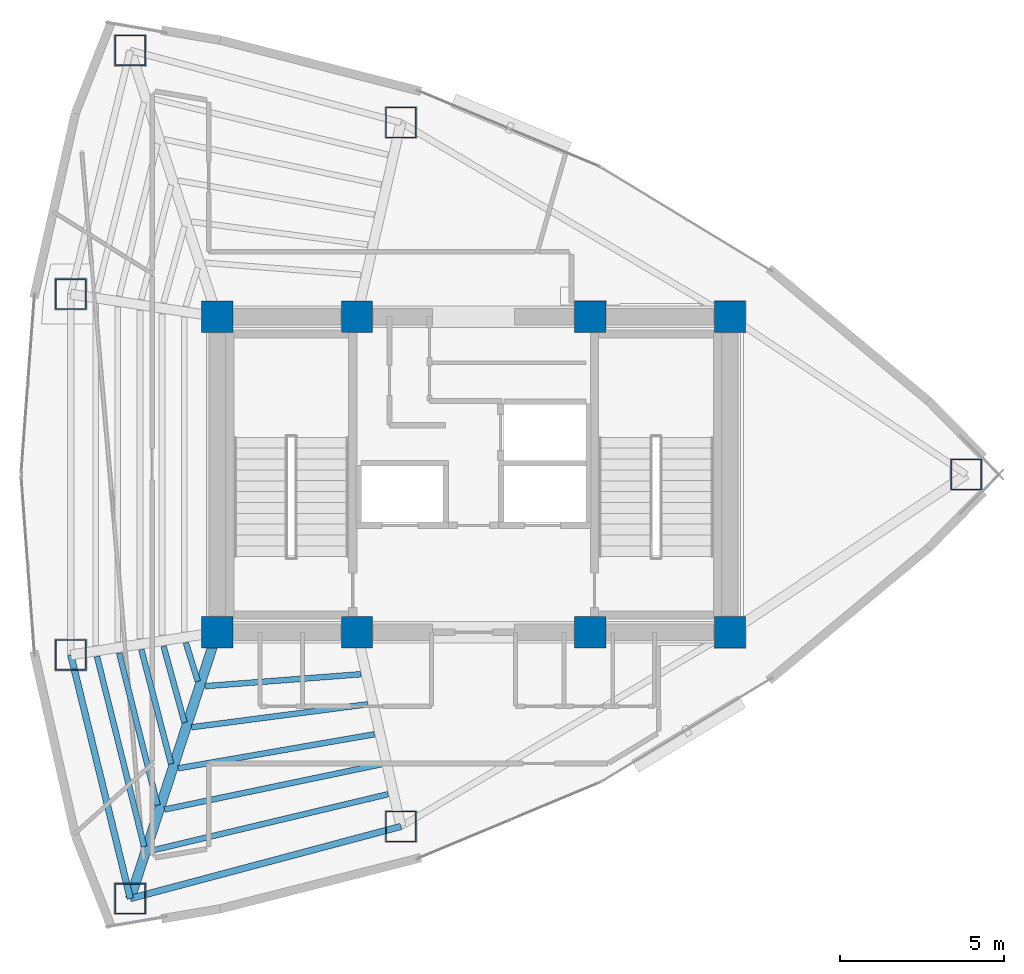
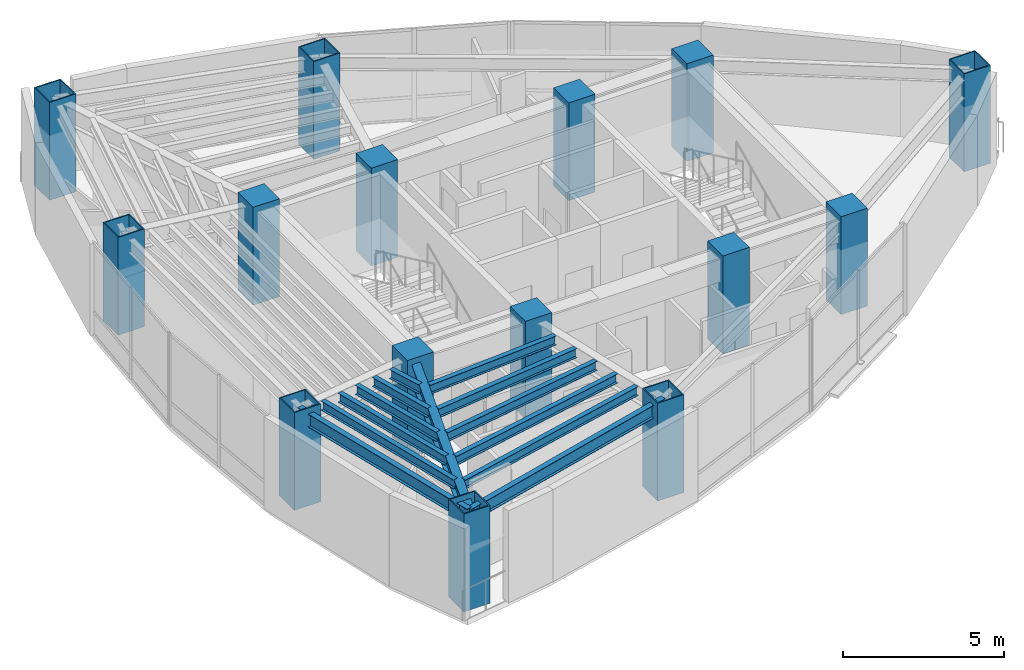
# One storey, part 1 of 16: 15 columns, 13 beams.
"""IFC4 building model written with IfcOpenShell, lengths in metres."""

from ifc_helpers import new_model, si_unit, direction, frame, origin, origin_2d, place, context, subcontext, project, spatial, rectangle, hollow_rectangle, i_section, extrude, material, material_profile, profile_set, type_object, element, save


model = new_model("IFC4")

# Units and contexts
model_context = context("Model", 3, precision=1e-05, world=origin(), true_north=direction((0.0, 1.0)))
body_context = subcontext(model_context, "Body", "Model", "MODEL_VIEW")
ifc_project = project(units=[si_unit("LENGTHUNIT", "METRE"), si_unit("AREAUNIT", "SQUARE_METRE"), si_unit("VOLUMEUNIT", "CUBIC_METRE"), si_unit("PLANEANGLEUNIT", "RADIAN"), si_unit("MASSUNIT", "GRAM", prefix="KILO")], contexts=[model_context])

# Site, building, storey
site_placement = place(None, origin())
site = spatial("IfcSite", under=ifc_project, at=site_placement, CompositionType="ELEMENT")
building_placement = place(site_placement, origin())
building = spatial("IfcBuilding", under=site, at=building_placement, Name="Menara Vayukalpa", CompositionType="ELEMENT")
storey_placement = place(building_placement, frame((0.0, 0.0, 219.5400390625)))
storey = spatial("IfcBuildingStorey", under=building, at=storey_placement, Name="L55", CompositionType="ELEMENT", Elevation=219.5400390625)

# Columns
ifc_material_1 = material(Name="Concrete C60/75", Category="concrete")
ifc_material_profile_1 = material_profile(ifc_material_1, rectangle(XDim=0.949951171875, YDim=0.949951171875, at=origin_2d()), Name="RC 950x950")
ifc_profile_set_1 = profile_set([ifc_material_profile_1], Name="Concrete C60/75")
column_type_1 = type_object("IfcColumnType", Name="COL-CC2", PredefinedType="COLUMN", material=ifc_profile_set_1)
for number, where, z_axis, x_axis, name in (
    (1, (17.800048828125, 17.199951171875, 0.0), (0.0, 0.0, 1.0), (1.0, 0.0, 0.0), "L55 Core Pilaster Column CC1"),
    (2, (22.050048828125, 17.199951171875, 0.0), (0.0, 0.0, 1.0), (1.0, 0.0, 0.0), "L55 Core Pilaster Column CC2"),
    (3, (29.14990234375, 17.199951171875, 0.0), (0.0, 0.0, 1.0), (1.0, 0.0, 0.0), "L55 Core Pilaster Column CC3"),
    (4, (33.39990234375, 17.199951171875, 0.0), (0.0, 0.0, 1.0), (1.0, 0.0, 0.0), "L55 Core Pilaster Column CC4"),
    (5, (17.800048828125, 26.800048828125, 0.0), (0.0, 0.0, 1.0), (1.0, 0.0, 0.0), "L55 Core Pilaster Column CC5"),
    (6, (22.050048828125, 26.800048828125, 0.0), (0.0, 0.0, 1.0), (1.0, 0.0, 0.0), "L55 Core Pilaster Column CC6"),
    (7, (29.14990234375, 26.800048828125, 0.0), (0.0, 0.0, 1.0), (1.0, 0.0, 0.0), "L55 Core Pilaster Column CC7"),
    (8, (33.39990234375, 26.800048828125, 0.0), (0.0, 0.0, 1.0), (1.0, 0.0, 0.0), "L55 Core Pilaster Column CC8"),
):
    element("IfcColumn", number, at=place(storey_placement, frame(where, z_axis=z_axis, x_axis=x_axis)), inside=storey, type_object=column_type_1, Name=name, PredefinedType="COLUMN", context=body_context, shape_type="SweptSolid", body=[
        extrude(rectangle(XDim=0.949951171875, YDim=0.949951171875, at=origin_2d()), origin(), (0.0, 0.0, 1.0), 3.719970703125),
    ])
ifc_material_2 = material(Name="Steel S460", Category="steel")
ifc_material_profile_2 = material_profile(ifc_material_2, hollow_rectangle(XDim=0.949951171875, YDim=0.949951171875, WallThickness=0.0400390625, at=origin_2d()), Name="BOX 950x950x40")
ifc_profile_set_2 = profile_set([ifc_material_profile_2], Name="Steel S460")
column_type_2 = type_object("IfcColumnType", Name="COL-MC4", PredefinedType="COLUMN", material=ifc_profile_set_2)
for number, where, z_axis, x_axis, name in (
    (9, (40.590576171875, 22.0, 0.0), (0.0, 0.0, 1.0), (1.0, 0.0, 0.0), "L55 Perimeter Mega Column P01"),
    (10, (23.389404296875, 32.70849609375, 0.0), (0.0, 0.0, 1.0), (1.0, 0.0, 0.0), "L55 Perimeter Mega Column P03"),
    (11, (15.15478515625, 34.902587890625, 0.0), (0.0, 0.0, 1.0), (1.0, 0.0, 0.0), "L55 Perimeter Mega Column P04"),
    (12, (13.343994140625, 27.4892578125, 0.0), (0.0, 0.0, 1.0), (1.0, 0.0, 0.0), "L55 Perimeter Mega Column P05"),
    (13, (13.343994140625, 16.5107421875, 0.0), (0.0, 0.0, 1.0), (1.0, 0.0, 0.0), "L55 Perimeter Mega Column P06"),
    (14, (15.15478515625, 9.097412109375, 0.0), (0.0, 0.0, 1.0), (1.0, 0.0, 0.0), "L55 Perimeter Mega Column P07"),
    (15, (23.389404296875, 11.29150390625, 0.0), (0.0, 0.0, 1.0), (1.0, 0.0, 0.0), "L55 Perimeter Mega Column P08"),
):
    element("IfcColumn", number, at=place(storey_placement, frame(where, z_axis=z_axis, x_axis=x_axis)), inside=storey, type_object=column_type_2, Name=name, PredefinedType="COLUMN", context=body_context, shape_type="SweptSolid", body=[
        extrude(hollow_rectangle(XDim=0.949951171875, YDim=0.949951171875, WallThickness=0.0400390625, at=origin_2d()), origin(), (0.0, 0.0, 1.0), 3.719970703125),
    ])

# Beams
ifc_material_3 = material(Name="Steel S355", Category="steel")
ifc_material_profile_3 = material_profile(ifc_material_3, i_section(OverallWidth=0.300048828125, OverallDepth=0.699951171875, WebThickness=0.012939453125, FlangeThickness=0.02392578125, at=origin_2d()), Name="WF 700x300x13x24")
ifc_profile_set_3 = profile_set([ifc_material_profile_3], Name="Steel S355")
beam_type_1 = type_object("IfcBeamType", Name="BM-PG5", PredefinedType="BEAM", material=ifc_profile_set_3)
beam_1_placement = place(storey_placement, frame((17.722412109375, 16.96240234375, 3.14990234375), z_axis=(-0.310343552153, -0.950624468251, 0.0), x_axis=(0.950624468251, -0.310343552153, 0.0)))
element("IfcBeam", 16, at=beam_1_placement, inside=storey, type_object=beam_type_1, Name="L55 Primary Radial Girder RG07", PredefinedType="BEAM", context=body_context, shape_type="SweptSolid", body=[
    extrude(i_section(OverallWidth=0.300048828125, OverallDepth=0.699951171875, WebThickness=0.012939453125, FlangeThickness=0.02392578125, at=origin_2d()), origin(), (0.0, 0.0, 1.0), 8.2734375),
])
ifc_material_4 = material(Name="Steel S355", Category="steel")
ifc_material_profile_4 = material_profile(ifc_material_4, i_section(OverallWidth=0.175048828125, OverallDepth=0.35009765625, WebThickness=0.007080078125, FlangeThickness=0.010986328125, at=origin_2d()), Name="WF 350x175x7x11")
ifc_profile_set_4 = profile_set([ifc_material_profile_4], Name="Steel S355")
beam_type_2 = type_object("IfcBeamType", Name="BM-SJ3", PredefinedType="JOIST", material=ifc_profile_set_4)
beam_2_placement = place(storey_placement, frame((16.845703125, 16.88232421875, 3.324951171875), z_axis=(0.296305452853, -0.955093230323, 0.0), x_axis=(0.955093230323, 0.296305452853, 0.0)))
element("IfcBeam", 17, at=beam_2_placement, inside=storey, type_object=beam_type_2, Name="L55 Secondary Floor Joist SJ06-1", PredefinedType="JOIST", context=body_context, shape_type="SweptSolid", body=[
    extrude(i_section(OverallWidth=0.175048828125, OverallDepth=0.35009765625, WebThickness=0.007080078125, FlangeThickness=0.010986328125, at=origin_2d()), origin(), (0.0, 0.0, 1.0), 1.228515625),
])
beam_3_placement = place(storey_placement, frame((16.166748046875, 16.776611328125, 3.324951171875), z_axis=(0.264565534661, -0.964367708848, 0.0), x_axis=(0.964367708848, 0.264565534661, 0.0)))
element("IfcBeam", 18, at=beam_3_placement, inside=storey, type_object=beam_type_2, Name="L55 Secondary Floor Joist SJ06-2", PredefinedType="JOIST", context=body_context, shape_type="SweptSolid", body=[
    extrude(i_section(OverallWidth=0.175048828125, OverallDepth=0.35009765625, WebThickness=0.007080078125, FlangeThickness=0.010986328125, at=origin_2d()), origin(), (0.0, 0.0, 1.0), 2.410400390625),
])
beam_4_placement = place(storey_placement, frame((15.4912109375, 16.671875, 3.324951171875), z_axis=(0.251733131911, -0.967796688514, 0.0), x_axis=(0.967796688514, 0.251733131911, 0.0)))
element("IfcBeam", 19, at=beam_4_placement, inside=storey, type_object=beam_type_2, Name="L55 Secondary Floor Joist SJ06-3", PredefinedType="JOIST", context=body_context, shape_type="SweptSolid", body=[
    extrude(i_section(OverallWidth=0.175048828125, OverallDepth=0.35009765625, WebThickness=0.007080078125, FlangeThickness=0.010986328125, at=origin_2d()), origin(), (0.0, 0.0, 1.0), 3.59326171875),
])
beam_5_placement = place(storey_placement, frame((14.816650390625, 16.5673828125, 3.324951171875), z_axis=(0.24483203065, -0.969565509271, 0.0), x_axis=(0.969565509271, 0.24483203065, 0.0)))
element("IfcBeam", 20, at=beam_5_placement, inside=storey, type_object=beam_type_2, Name="L55 Secondary Floor Joist SJ06-4", PredefinedType="JOIST", context=body_context, shape_type="SweptSolid", body=[
    extrude(i_section(OverallWidth=0.175048828125, OverallDepth=0.35009765625, WebThickness=0.007080078125, FlangeThickness=0.010986328125, at=origin_2d()), origin(), (0.0, 0.0, 1.0), 4.7763671875),
])
beam_6_placement = place(storey_placement, frame((14.142578125, 16.462890625, 3.324951171875), z_axis=(0.240539929987, -0.970639244046, 0.0), x_axis=(0.970639244046, 0.240539929987, 0.0)))
element("IfcBeam", 21, at=beam_6_placement, inside=storey, type_object=beam_type_2, Name="L55 Secondary Floor Joist SJ06-5", PredefinedType="JOIST", context=body_context, shape_type="SweptSolid", body=[
    extrude(i_section(OverallWidth=0.175048828125, OverallDepth=0.35009765625, WebThickness=0.007080078125, FlangeThickness=0.010986328125, at=origin_2d()), origin(), (0.0, 0.0, 1.0), 5.9599609375),
])
beam_7_placement = place(storey_placement, frame((17.4296875, 15.5595703125, 3.324951171875), z_axis=(0.997060829559, 0.076613981492, 0.0), x_axis=(-0.076613981492, 0.997060829559, 0.0)))
element("IfcBeam", 22, at=beam_7_placement, inside=storey, type_object=beam_type_2, Name="L55 Secondary Floor Joist SJ07-1", PredefinedType="JOIST", context=body_context, shape_type="SweptSolid", body=[
    extrude(i_section(OverallWidth=0.175048828125, OverallDepth=0.35009765625, WebThickness=0.007080078125, FlangeThickness=0.010986328125, at=origin_2d()), origin(), (0.0, 0.0, 1.0), 4.751220703125),
])
beam_8_placement = place(storey_placement, frame((17.01806640625, 14.310302734375, 3.324951171875), z_axis=(0.991612506825, 0.129246417005, 0.0), x_axis=(-0.129246417005, 0.991612506825, 0.0)))
element("IfcBeam", 23, at=beam_8_placement, inside=storey, type_object=beam_type_2, Name="L55 Secondary Floor Joist SJ07-2", PredefinedType="JOIST", context=body_context, shape_type="SweptSolid", body=[
    extrude(i_section(OverallWidth=0.175048828125, OverallDepth=0.35009765625, WebThickness=0.007080078125, FlangeThickness=0.010986328125, at=origin_2d()), origin(), (0.0, 0.0, 1.0), 5.400634765625),
])
beam_9_placement = place(storey_placement, frame((16.606201171875, 13.058837890625, 3.324951171875), z_axis=(0.985288498293, 0.170899312848, 0.0), x_axis=(-0.170899312848, 0.985288498293, 0.0)))
element("IfcBeam", 24, at=beam_9_placement, inside=storey, type_object=beam_type_2, Name="L55 Secondary Floor Joist SJ07-3", PredefinedType="JOIST", context=body_context, shape_type="SweptSolid", body=[
    extrude(i_section(OverallWidth=0.175048828125, OverallDepth=0.35009765625, WebThickness=0.007080078125, FlangeThickness=0.010986328125, at=origin_2d()), origin(), (0.0, 0.0, 1.0), 6.062744140625),
])
beam_10_placement = place(storey_placement, frame((16.194091796875, 11.80615234375, 3.324951171875), z_axis=(0.978881984699, 0.204426172569, 0.0), x_axis=(-0.204426172569, 0.978881984699, 0.0)))
element("IfcBeam", 25, at=beam_10_placement, inside=storey, type_object=beam_type_2, Name="L55 Secondary Floor Joist SJ07-4", PredefinedType="JOIST", context=body_context, shape_type="SweptSolid", body=[
    extrude(i_section(OverallWidth=0.175048828125, OverallDepth=0.35009765625, WebThickness=0.007080078125, FlangeThickness=0.010986328125, at=origin_2d()), origin(), (0.0, 0.0, 1.0), 6.734619140625),
])
beam_11_placement = place(storey_placement, frame((15.7822265625, 10.552490234375, 3.324951171875), z_axis=(0.972733016713, 0.23192774348, 0.0), x_axis=(-0.23192774348, 0.972733016713, 0.0)))
element("IfcBeam", 26, at=beam_11_placement, inside=storey, type_object=beam_type_2, Name="L55 Secondary Floor Joist SJ07-5", PredefinedType="JOIST", context=body_context, shape_type="SweptSolid", body=[
    extrude(i_section(OverallWidth=0.175048828125, OverallDepth=0.35009765625, WebThickness=0.007080078125, FlangeThickness=0.010986328125, at=origin_2d()), origin(), (0.0, 0.0, 1.0), 7.412841796875),
])
ifc_material_5 = material(Name="Steel S355", Category="steel")
ifc_material_profile_5 = material_profile(ifc_material_5, i_section(OverallWidth=0.199951171875, OverallDepth=0.5, WebThickness=0.010009765625, FlangeThickness=0.01611328125, at=origin_2d()), Name="WF 500x200x10x16")
ifc_profile_set_5 = profile_set([ifc_material_profile_5], Name="Steel S355")
beam_type_3 = type_object("IfcBeamType", Name="BM-SP3", PredefinedType="SPANDREL", material=ifc_profile_set_5)
beam_12_placement = place(storey_placement, frame((13.343994140625, 16.5107421875, 3.25), z_axis=(0.237285374413, -0.971439988414, 0.0), x_axis=(0.971439988414, 0.237285374413, 0.0)))
element("IfcBeam", 27, at=beam_12_placement, inside=storey, type_object=beam_type_3, Name="L55 Perimeter Spandrel Beam SP06", PredefinedType="SPANDREL", context=body_context, shape_type="SweptSolid", body=[
    extrude(i_section(OverallWidth=0.199951171875, OverallDepth=0.5, WebThickness=0.010009765625, FlangeThickness=0.01611328125, at=origin_2d()), origin(), (0.0, 0.0, 1.0), 7.63134765625),
])
beam_13_placement = place(storey_placement, frame((15.15478515625, 9.097412109375, 3.25), z_axis=(0.966287699272, 0.25746472037, 0.0), x_axis=(-0.25746472037, 0.966287699272, 0.0)))
element("IfcBeam", 28, at=beam_13_placement, inside=storey, type_object=beam_type_3, Name="L55 Perimeter Spandrel Beam SP07", PredefinedType="SPANDREL", context=body_context, shape_type="SweptSolid", body=[
    extrude(i_section(OverallWidth=0.199951171875, OverallDepth=0.5, WebThickness=0.010009765625, FlangeThickness=0.01611328125, at=origin_2d()), origin(), (0.0, 0.0, 1.0), 8.52197265625),
])

save(model, "model.ifc")
